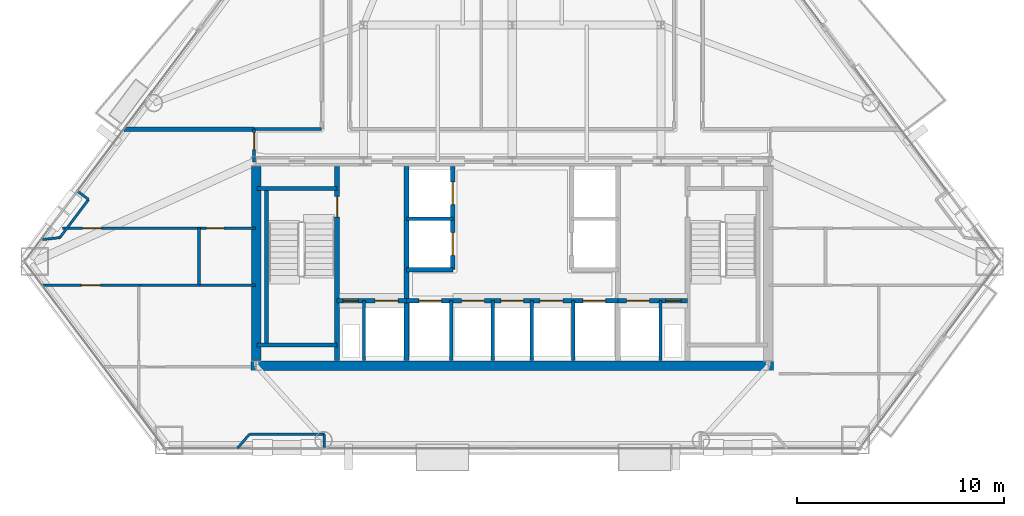
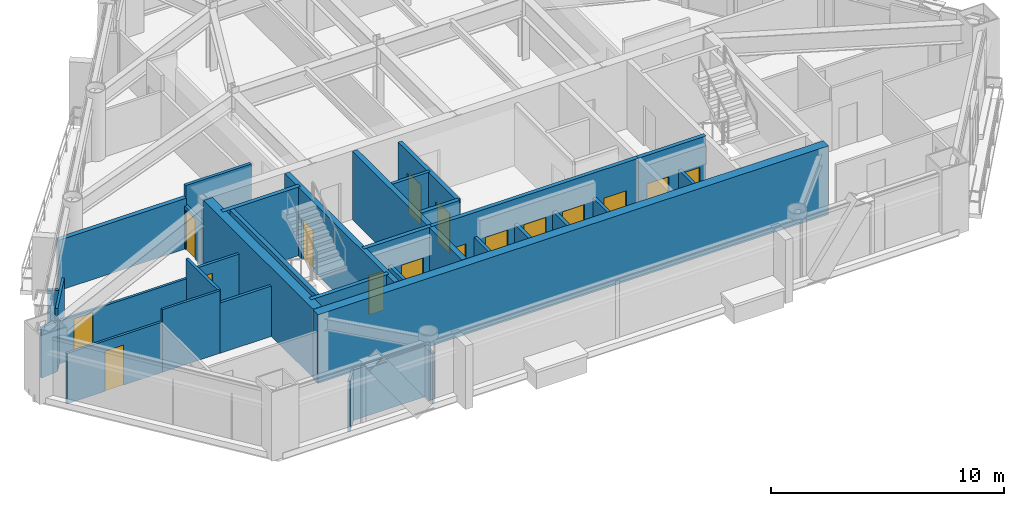
# One storey, part 6 of 10: 34 walls, 16 doors, 16 openings.
"""IFC4 building model written with IfcOpenShell, lengths in metres."""

from ifc_helpers import new_model, si_unit, direction, frame, frame_2d, origin, place, context, subcontext, project, spatial, rectangle, extrude, material, layer, layer_set, type_object, element, fill, save


model = new_model("IFC4")

# Units and contexts
model_context = context("Model", 3, precision=1e-05, world=origin(), true_north=direction((0.0, 1.0)))
body_context = subcontext(model_context, "Body", "Model", "MODEL_VIEW")
ifc_project = project(units=[si_unit("LENGTHUNIT", "METRE"), si_unit("AREAUNIT", "SQUARE_METRE"), si_unit("VOLUMEUNIT", "CUBIC_METRE"), si_unit("PLANEANGLEUNIT", "RADIAN"), si_unit("MASSUNIT", "GRAM", prefix="KILO")], contexts=[model_context])

# Site, building, storey
site_placement = place(None, origin())
site = spatial("IfcSite", under=ifc_project, at=site_placement, CompositionType="ELEMENT")
building_placement = place(site_placement, origin())
building = spatial("IfcBuilding", under=site, at=building_placement, Name="Talgorran Terracotta Tower", CompositionType="ELEMENT")
storey_placement = place(building_placement, frame((0.0, 0.0, 86.39990234375)))
storey = spatial("IfcBuildingStorey", under=building, at=storey_placement, Name="L22", CompositionType="ELEMENT", Elevation=86.39990234375)

# Walls
ifc_material_1 = material(Name="Concrete C50/60", Category="concrete")
ifc_layer_1 = layer(ifc_material_1, 0.199951171875, Name="WT_CORE_200")
ifc_layer_set_1 = layer_set([ifc_layer_1], Name="Concrete C50/60")
wall_type_1 = type_object("IfcWallType", Name="WT_CORE_200", PredefinedType="SOLIDWALL", material=ifc_layer_set_1)
for number, where, z_axis, x_axis, name in (
    (1, (-12.35009765625, -5.52001953125, 0.0), (0.0, 0.0, 1.0), (1.0, 0.0, 0.0), "WL-L22-CW-ST1-N"),
    (2, (-12.35009765625, -13.10009765625, 0.0), (0.0, 0.0, 1.0), (1.0, 0.0, 0.0), "WL-L22-CW-ST1-S"),
):
    element("IfcWall", number, at=place(storey_placement, frame(where, z_axis=z_axis, x_axis=x_axis)), inside=storey, type_object=wall_type_1, Name=name, PredefinedType="SOLIDWALL", context=body_context, shape_type="SweptSolid", body=[
        extrude(rectangle(XDim=3.8701171875, YDim=0.199951171875, at=frame_2d((1.93505859375, 0.0))), origin(), (0.0, 0.0, 1.0), 3.60009765625),
    ])
wall_1_placement = place(storey_placement, frame((-11.89990234375, -13.10009765625, 0.0), z_axis=(0.0, 0.0, 1.0), x_axis=(0.0, 1.0, 0.0)))
element("IfcWall", 3, at=wall_1_placement, inside=storey, type_object=wall_type_1, Name="WL-L22-CW-ST1-W", PredefinedType="SOLIDWALL", context=body_context, shape_type="SweptSolid", body=[
    extrude(rectangle(XDim=7.580078125, YDim=0.199951171875, at=frame_2d((3.7900390625, 0.0))), origin(), (0.0, 0.0, 1.0), 3.60009765625),
])

# Wall, openings, doors
wall_2_placement = place(storey_placement, frame((-8.47998046875, -10.949951171875, 0.0), z_axis=(0.0, 0.0, 1.0), x_axis=(1.0, 0.0, 0.0)))
wall_2 = element("IfcWall", 4, at=wall_2_placement, inside=storey, type_object=wall_type_1, Name="WL-L22-CW-H-SBW", PredefinedType="SOLIDWALL", context=body_context, shape_type="SweptSolid", body=[
    extrude(rectangle(XDim=3.35986328125, YDim=0.199951171875, at=frame_2d((1.679931640625, 0.0))), origin(), (0.0, 0.0, 1.0), 3.60009765625),
])
opening_1_placement = place(wall_2_placement, frame((0.280029296875, 0.0, 0.0)))
opening_1 = element("IfcOpeningElement", 5, at=opening_1_placement, cuts=wall_2, Name="Opening DR-RSW", PredefinedType="OPENING", context=body_context, shape_type="SweptSolid", body=[
    extrude(rectangle(XDim=0.756, YDim=2.054048828125, at=frame_2d((0.375, 1.027099609375))), frame((0.0, 0.10986328125, 0.0), z_axis=(0.0, -1.0, 0.0), x_axis=(1.0, 0.0, 0.0)), (0.0, 0.0, 1.0), 0.219970703125),
])
opening_2_placement = place(wall_2_placement, frame((1.85009765625, 0.0, 0.0)))
opening_2 = element("IfcOpeningElement", 6, at=opening_2_placement, cuts=wall_2, Name="Opening LD-FFL1", PredefinedType="OPENING", context=body_context, shape_type="SweptSolid", body=[
    extrude(rectangle(XDim=1.10609765625, YDim=2.10409765625, at=frame_2d((0.550048828125, 1.052001953125))), frame((0.0, 0.10986328125, 0.0), z_axis=(0.0, -1.0, 0.0), x_axis=(1.0, 0.0, 0.0)), (0.0, 0.0, 1.0), 0.219970703125),
])
ifc_material_2 = material(Name="Brushed Stainless Steel Grade 304", Category="steel")
door_type_1 = type_object("IfcDoorType", Name="DT_LIFT_LD1100", OperationType="DOUBLE_DOOR_SLIDING", PredefinedType="DOOR", material=ifc_material_2)
door_1_placement = place(opening_2_placement, origin())
door_1 = element("IfcDoor", 7, at=door_1_placement, inside=storey, type_object=door_type_1, Name="L22 Lift Landing Door LD-FFL1", OperationType="DOUBLE_DOOR_SLIDING", OverallHeight=2.10009765625, OverallWidth=1.10009765625, PredefinedType="DOOR", context=body_context, shape_type="SweptSolid", body=[
    extrude(rectangle(XDim=1.10009765625, YDim=2.10009765625, at=frame_2d((0.550048828125, 1.050048828125))), frame((0.0, 0.02490234375, 0.0), z_axis=(0.0, -1.0, 0.0), x_axis=(1.0, 0.0, 0.0)), (0.0, 0.0, 1.0), 0.050048828125),
])
fill(opening_2, door_1)
ifc_material_3 = material(Name="Fire-Rated Pressed Steel", Category="steel")
door_type_2 = type_object("IfcDoorType", Name="DT_RISER_750", OperationType="NOTDEFINED", PredefinedType="DOOR", material=ifc_material_3)
door_2_placement = place(opening_1_placement, origin())
door_2 = element("IfcDoor", 8, at=door_2_placement, inside=storey, type_object=door_type_2, Name="DR-RSW", OperationType="SINGLE_SWING_LEFT", OverallHeight=2.050048828125, OverallWidth=0.75, PredefinedType="DOOR", context=body_context, shape_type="SweptSolid", body=[
    extrude(rectangle(XDim=0.75, YDim=2.050048828125, at=frame_2d((0.375, 1.02490234375))), frame((0.0, 0.02490234375, 0.0), z_axis=(0.0, -1.0, 0.0), x_axis=(1.0, 0.0, 0.0)), (0.0, 0.0, 1.0), 0.050048828125),
])
fill(opening_1, door_2)

wall_3_placement = place(storey_placement, frame((-5.1201171875, -10.949951171875, 0.0), z_axis=(0.0, 0.0, 1.0), x_axis=(1.0, 0.0, 0.0)))
wall_3 = element("IfcWall", 9, at=wall_3_placement, inside=storey, type_object=wall_type_1, Name="WL-L22-CW-H-SBC", PredefinedType="SOLIDWALL", context=body_context, shape_type="SweptSolid", body=[
    extrude(rectangle(XDim=10.240234375, YDim=0.199951171875, at=frame_2d((5.1201171875, 0.0))), origin(), (0.0, 0.0, 1.0), 3.60009765625),
])
opening_3_placement = place(wall_3_placement, frame((0.60009765625, 0.0, 0.0)))
opening_3 = element("IfcOpeningElement", 10, at=opening_3_placement, cuts=wall_3, Name="Opening LD-OB1", PredefinedType="OPENING", context=body_context, shape_type="SweptSolid", body=[
    extrude(rectangle(XDim=1.10609765625, YDim=2.10409765625, at=frame_2d((0.550048828125, 1.052001953125))), frame((0.0, 0.10986328125, 0.0), z_axis=(0.0, -1.0, 0.0), x_axis=(1.0, 0.0, 0.0)), (0.0, 0.0, 1.0), 0.219970703125),
])
opening_4_placement = place(wall_3_placement, frame((2.669921875, 0.0, 0.0)))
opening_4 = element("IfcOpeningElement", 11, at=opening_4_placement, cuts=wall_3, Name="Opening LD-PLH1", PredefinedType="OPENING", context=body_context, shape_type="SweptSolid", body=[
    extrude(rectangle(XDim=1.10609765625, YDim=2.10409765625, at=frame_2d((0.550048828125, 1.052001953125))), frame((0.0, 0.10986328125, 0.0), z_axis=(0.0, -1.0, 0.0), x_axis=(1.0, 0.0, 0.0)), (0.0, 0.0, 1.0), 0.219970703125),
])
opening_5_placement = place(wall_3_placement, frame((4.570068359375, 0.0, 0.0)))
opening_5 = element("IfcOpeningElement", 12, at=opening_5_placement, cuts=wall_3, Name="Opening LD-PLH2", PredefinedType="OPENING", context=body_context, shape_type="SweptSolid", body=[
    extrude(rectangle(XDim=1.10609765625, YDim=2.10409765625, at=frame_2d((0.550048828125, 1.052001953125))), frame((0.0, 0.10986328125, 0.0), z_axis=(0.0, -1.0, 0.0), x_axis=(1.0, 0.0, 0.0)), (0.0, 0.0, 1.0), 0.219970703125),
])
opening_6_placement = place(wall_3_placement, frame((6.469970703125, 0.0, 0.0)))
opening_6 = element("IfcOpeningElement", 13, at=opening_6_placement, cuts=wall_3, Name="Opening LD-PLH3", PredefinedType="OPENING", context=body_context, shape_type="SweptSolid", body=[
    extrude(rectangle(XDim=1.10609765625, YDim=2.10409765625, at=frame_2d((0.550048828125, 1.052001953125))), frame((0.0, 0.10986328125, 0.0), z_axis=(0.0, -1.0, 0.0), x_axis=(1.0, 0.0, 0.0)), (0.0, 0.0, 1.0), 0.219970703125),
])
opening_7_placement = place(wall_3_placement, frame((8.5400390625, 0.0, 0.0)))
opening_7 = element("IfcOpeningElement", 14, at=opening_7_placement, cuts=wall_3, Name="Opening LD-SVL1", PredefinedType="OPENING", context=body_context, shape_type="SweptSolid", body=[
    extrude(rectangle(XDim=1.10609765625, YDim=2.10409765625, at=frame_2d((0.550048828125, 1.052001953125))), frame((0.0, 0.10986328125, 0.0), z_axis=(0.0, -1.0, 0.0), x_axis=(1.0, 0.0, 0.0)), (0.0, 0.0, 1.0), 0.219970703125),
])
door_3_placement = place(opening_3_placement, origin())
door_3 = element("IfcDoor", 15, at=door_3_placement, inside=storey, type_object=door_type_1, Name="L22 Lift Landing Door LD-OB1", OperationType="DOUBLE_DOOR_SLIDING", OverallHeight=2.10009765625, OverallWidth=1.10009765625, PredefinedType="DOOR", context=body_context, shape_type="SweptSolid", body=[
    extrude(rectangle(XDim=1.10009765625, YDim=2.10009765625, at=frame_2d((0.550048828125, 1.050048828125))), frame((0.0, 0.02490234375, 0.0), z_axis=(0.0, -1.0, 0.0), x_axis=(1.0, 0.0, 0.0)), (0.0, 0.0, 1.0), 0.050048828125),
])
fill(opening_3, door_3)
door_4_placement = place(opening_4_placement, origin())
door_4 = element("IfcDoor", 16, at=door_4_placement, inside=storey, type_object=door_type_1, Name="L22 Lift Landing Door LD-PLH1", OperationType="DOUBLE_DOOR_SLIDING", OverallHeight=2.10009765625, OverallWidth=1.10009765625, PredefinedType="DOOR", context=body_context, shape_type="SweptSolid", body=[
    extrude(rectangle(XDim=1.10009765625, YDim=2.10009765625, at=frame_2d((0.550048828125, 1.050048828125))), frame((0.0, 0.02490234375, 0.0), z_axis=(0.0, -1.0, 0.0), x_axis=(1.0, 0.0, 0.0)), (0.0, 0.0, 1.0), 0.050048828125),
])
fill(opening_4, door_4)
door_5_placement = place(opening_5_placement, origin())
door_5 = element("IfcDoor", 17, at=door_5_placement, inside=storey, type_object=door_type_1, Name="L22 Lift Landing Door LD-PLH2", OperationType="DOUBLE_DOOR_SLIDING", OverallHeight=2.10009765625, OverallWidth=1.10009765625, PredefinedType="DOOR", context=body_context, shape_type="SweptSolid", body=[
    extrude(rectangle(XDim=1.10009765625, YDim=2.10009765625, at=frame_2d((0.550048828125, 1.050048828125))), frame((0.0, 0.02490234375, 0.0), z_axis=(0.0, -1.0, 0.0), x_axis=(1.0, 0.0, 0.0)), (0.0, 0.0, 1.0), 0.050048828125),
])
fill(opening_5, door_5)
door_6_placement = place(opening_6_placement, origin())
door_6 = element("IfcDoor", 18, at=door_6_placement, inside=storey, type_object=door_type_1, Name="L22 Lift Landing Door LD-PLH3", OperationType="DOUBLE_DOOR_SLIDING", OverallHeight=2.10009765625, OverallWidth=1.10009765625, PredefinedType="DOOR", context=body_context, shape_type="SweptSolid", body=[
    extrude(rectangle(XDim=1.10009765625, YDim=2.10009765625, at=frame_2d((0.550048828125, 1.050048828125))), frame((0.0, 0.02490234375, 0.0), z_axis=(0.0, -1.0, 0.0), x_axis=(1.0, 0.0, 0.0)), (0.0, 0.0, 1.0), 0.050048828125),
])
fill(opening_6, door_6)
door_7_placement = place(opening_7_placement, origin())
door_7 = element("IfcDoor", 19, at=door_7_placement, inside=storey, type_object=door_type_1, Name="L22 Lift Landing Door LD-SVL1", OperationType="DOUBLE_DOOR_SLIDING", OverallHeight=2.10009765625, OverallWidth=1.10009765625, PredefinedType="DOOR", context=body_context, shape_type="SweptSolid", body=[
    extrude(rectangle(XDim=1.10009765625, YDim=2.10009765625, at=frame_2d((0.550048828125, 1.050048828125))), frame((0.0, 0.02490234375, 0.0), z_axis=(0.0, -1.0, 0.0), x_axis=(1.0, 0.0, 0.0)), (0.0, 0.0, 1.0), 0.050048828125),
])
fill(opening_7, door_7)

wall_4_placement = place(storey_placement, frame((5.1201171875, -10.949951171875, 0.0), z_axis=(0.0, 0.0, 1.0), x_axis=(1.0, 0.0, 0.0)))
wall_4 = element("IfcWall", 20, at=wall_4_placement, inside=storey, type_object=wall_type_1, Name="WL-L22-CW-H-SBE", PredefinedType="SOLIDWALL", context=body_context, shape_type="SweptSolid", body=[
    extrude(rectangle(XDim=3.35986328125, YDim=0.199951171875, at=frame_2d((1.679931640625, 0.0))), origin(), (0.0, 0.0, 1.0), 3.60009765625),
])
opening_8_placement = place(wall_4_placement, frame((0.419921875, 0.0, 0.0)))
opening_8 = element("IfcOpeningElement", 21, at=opening_8_placement, cuts=wall_4, Name="Opening LD-FFL2", PredefinedType="OPENING", context=body_context, shape_type="SweptSolid", body=[
    extrude(rectangle(XDim=1.10609765625, YDim=2.10409765625, at=frame_2d((0.550048828125, 1.052001953125))), frame((0.0, 0.10986328125, 0.0), z_axis=(0.0, -1.0, 0.0), x_axis=(1.0, 0.0, 0.0)), (0.0, 0.0, 1.0), 0.219970703125),
])
opening_9_placement = place(wall_4_placement, frame((2.300048828125, 0.0, 0.0)))
opening_9 = element("IfcOpeningElement", 22, at=opening_9_placement, cuts=wall_4, Name="Opening DR-RSE", PredefinedType="OPENING", context=body_context, shape_type="SweptSolid", body=[
    extrude(rectangle(XDim=0.756, YDim=2.054048828125, at=frame_2d((0.375, 1.027099609375))), frame((0.0, 0.10986328125, 0.0), z_axis=(0.0, -1.0, 0.0), x_axis=(1.0, 0.0, 0.0)), (0.0, 0.0, 1.0), 0.219970703125),
])
door_8_placement = place(opening_8_placement, origin())
door_8 = element("IfcDoor", 23, at=door_8_placement, inside=storey, type_object=door_type_1, Name="L22 Lift Landing Door LD-FFL2", OperationType="DOUBLE_DOOR_SLIDING", OverallHeight=2.10009765625, OverallWidth=1.10009765625, PredefinedType="DOOR", context=body_context, shape_type="SweptSolid", body=[
    extrude(rectangle(XDim=1.10009765625, YDim=2.10009765625, at=frame_2d((0.550048828125, 1.050048828125))), frame((0.0, 0.02490234375, 0.0), z_axis=(0.0, -1.0, 0.0), x_axis=(1.0, 0.0, 0.0)), (0.0, 0.0, 1.0), 0.050048828125),
])
fill(opening_8, door_8)
door_9_placement = place(opening_9_placement, origin())
door_9 = element("IfcDoor", 24, at=door_9_placement, inside=storey, type_object=door_type_2, Name="DR-RSE", OperationType="SINGLE_SWING_RIGHT", OverallHeight=2.050048828125, OverallWidth=0.75, PredefinedType="DOOR", context=body_context, shape_type="SweptSolid", body=[
    extrude(rectangle(XDim=0.75, YDim=2.050048828125, at=frame_2d((0.375, 1.02490234375))), frame((0.0, 0.02490234375, 0.0), z_axis=(0.0, -1.0, 0.0), x_axis=(1.0, 0.0, 0.0)), (0.0, 0.0, 1.0), 0.050048828125),
])
fill(opening_9, door_9)

wall_5_placement = place(storey_placement, frame((-2.8798828125, -9.449951171875, 0.0), z_axis=(0.0, 0.0, 1.0), x_axis=(0.0, 1.0, 0.0)))
wall_5 = element("IfcWall", 25, at=wall_5_placement, inside=storey, type_object=wall_type_1, Name="WL-L22-CW-V-W3", PredefinedType="SOLIDWALL", context=body_context, shape_type="SweptSolid", body=[
    extrude(rectangle(XDim=5.0, YDim=0.199951171875, at=frame_2d((2.5, 0.0))), origin(), (0.0, 0.0, 1.0), 3.280029296875),
])
opening_10_placement = place(wall_5_placement, frame((0.699951171875, 0.0, 0.0)))
opening_10 = element("IfcOpeningElement", 26, at=opening_10_placement, cuts=wall_5, Name="Opening LD-PLL1", PredefinedType="OPENING", context=body_context, shape_type="SweptSolid", body=[
    extrude(rectangle(XDim=1.10609765625, YDim=2.10409765625, at=frame_2d((0.550048828125, 1.052001953125))), frame((0.0, 0.10986328125, 0.0), z_axis=(0.0, -1.0, 0.0), x_axis=(1.0, 0.0, 0.0)), (0.0, 0.0, 1.0), 0.219970703125),
])
opening_11_placement = place(wall_5_placement, frame((3.14990234375, 0.0, 0.0)))
opening_11 = element("IfcOpeningElement", 27, at=opening_11_placement, cuts=wall_5, Name="Opening LD-PLL2", PredefinedType="OPENING", context=body_context, shape_type="SweptSolid", body=[
    extrude(rectangle(XDim=1.10609765625, YDim=2.10409765625, at=frame_2d((0.550048828125, 1.052001953125))), frame((0.0, 0.10986328125, 0.0), z_axis=(0.0, -1.0, 0.0), x_axis=(1.0, 0.0, 0.0)), (0.0, 0.0, 1.0), 0.219970703125),
])
door_10_placement = place(opening_10_placement, origin())
door_10 = element("IfcDoor", 28, at=door_10_placement, inside=storey, type_object=door_type_1, Name="L22 Lift Landing Door LD-PLL1", OperationType="DOUBLE_DOOR_SLIDING", OverallHeight=2.10009765625, OverallWidth=1.10009765625, PredefinedType="DOOR", context=body_context, shape_type="SweptSolid", body=[
    extrude(rectangle(XDim=1.10009765625, YDim=2.10009765625, at=frame_2d((0.550048828125, 1.050048828125))), frame((0.0, 0.02490234375, 0.0), z_axis=(0.0, -1.0, 0.0), x_axis=(1.0, 0.0, 0.0)), (0.0, 0.0, 1.0), 0.050048828125),
])
fill(opening_10, door_10)
door_11_placement = place(opening_11_placement, origin())
door_11 = element("IfcDoor", 29, at=door_11_placement, inside=storey, type_object=door_type_1, Name="L22 Lift Landing Door LD-PLL2", OperationType="DOUBLE_DOOR_SLIDING", OverallHeight=2.10009765625, OverallWidth=1.10009765625, PredefinedType="DOOR", context=body_context, shape_type="SweptSolid", body=[
    extrude(rectangle(XDim=1.10009765625, YDim=2.10009765625, at=frame_2d((0.550048828125, 1.050048828125))), frame((0.0, 0.02490234375, 0.0), z_axis=(0.0, -1.0, 0.0), x_axis=(1.0, 0.0, 0.0)), (0.0, 0.0, 1.0), 0.050048828125),
])
fill(opening_11, door_11)

# Wall
wall_6_placement = place(storey_placement, frame((-5.1201171875, -9.449951171875, 0.0), z_axis=(0.0, 0.0, 1.0), x_axis=(1.0, 0.0, 0.0)))
element("IfcWall", 30, at=wall_6_placement, inside=storey, type_object=wall_type_1, Name="WL-L22-CW-H-W4", PredefinedType="SOLIDWALL", context=body_context, shape_type="SweptSolid", body=[
    extrude(rectangle(XDim=2.240234375, YDim=0.199951171875, at=frame_2d((1.1201171875, 0.0))), origin(), (0.0, 0.0, 1.0), 3.280029296875),
])

# Wall, opening, door
ifc_layer_2 = layer(ifc_material_1, 0.25, Name="WT_CORE_250")
ifc_layer_set_2 = layer_set([ifc_layer_2], Name="Concrete C50/60")
wall_type_2 = type_object("IfcWallType", Name="WT_CORE_250", PredefinedType="SHEAR", material=ifc_layer_set_2)
wall_7_placement = place(storey_placement, frame((-8.47998046875, -13.85009765625, 0.0), z_axis=(0.0, 0.0, 1.0), x_axis=(0.0, 1.0, 0.0)))
wall_7 = element("IfcWall", 31, at=wall_7_placement, inside=storey, type_object=wall_type_2, Name="WL-L22-CW-V-W1", PredefinedType="SHEAR", context=body_context, shape_type="SweptSolid", body=[
    extrude(rectangle(XDim=9.400146484375, YDim=0.25, at=frame_2d((4.7001953125, 0.0))), origin(), (0.0, 0.0, 1.0), 3.60009765625),
])
opening_12_placement = place(wall_7_placement, frame((6.949951171875, 0.0, 0.0)))
opening_12 = element("IfcOpeningElement", 32, at=opening_12_placement, cuts=wall_7, Name="Opening DR-ST01", PredefinedType="OPENING", context=body_context, shape_type="SweptSolid", body=[
    extrude(rectangle(XDim=1.006, YDim=2.10409765625, at=frame_2d((0.5, 1.052001953125))), frame((0.0, 0.135009765625, 0.0), z_axis=(0.0, -1.0, 0.0), x_axis=(1.0, 0.0, 0.0)), (0.0, 0.0, 1.0), 0.27001953125),
])
door_type_3 = type_object("IfcDoorType", Name="DT_FIRE_1000", OperationType="NOTDEFINED", PredefinedType="DOOR", material=ifc_material_3)
door_12_placement = place(opening_12_placement, origin())
door_12 = element("IfcDoor", 33, at=door_12_placement, inside=storey, type_object=door_type_3, Name="DR-ST01", OperationType="SINGLE_SWING_LEFT", OverallHeight=2.10009765625, OverallWidth=1.0, PredefinedType="DOOR", context=body_context, shape_type="SweptSolid", body=[
    extrude(rectangle(XDim=1.0, YDim=2.10009765625, at=frame_2d((0.5, 1.050048828125))), frame((0.0, 0.02490234375, 0.0), z_axis=(0.0, -1.0, 0.0), x_axis=(1.0, 0.0, 0.0)), (0.0, 0.0, 1.0), 0.050048828125),
])
fill(opening_12, door_12)

# Walls
wall_8_placement = place(storey_placement, frame((-5.1201171875, -13.85009765625, 0.0), z_axis=(0.0, 0.0, 1.0), x_axis=(0.0, 1.0, 0.0)))
element("IfcWall", 34, at=wall_8_placement, inside=storey, type_object=wall_type_2, Name="WL-L22-CW-V-W2", PredefinedType="SHEAR", context=body_context, shape_type="SweptSolid", body=[
    extrude(rectangle(XDim=9.400146484375, YDim=0.25, at=frame_2d((4.7001953125, 0.0))), origin(), (0.0, 0.0, 1.0), 3.60009765625),
])
ifc_material_4 = material(Name="Concrete C65/80", Category="concrete")
ifc_layer_3 = layer(ifc_material_4, 0.449951171875, Name="WT_CORE_EXT")
ifc_layer_set_3 = layer_set([ifc_layer_3], Name="Concrete C65/80")
wall_type_3 = type_object("IfcWallType", Name="WT_CORE_EXT", PredefinedType="SHEAR", material=ifc_layer_set_3)
wall_9_placement = place(storey_placement, frame((-12.64990234375, -14.10009765625, 0.0), z_axis=(0.0, 0.0, 1.0), x_axis=(1.0, 0.0, 0.0)))
element("IfcWall", 35, at=wall_9_placement, inside=storey, type_object=wall_type_3, Name="WL-L22-CW-OUT-S", PredefinedType="SHEAR", context=body_context, shape_type="SweptSolid", body=[
    extrude(rectangle(XDim=25.2998046875, YDim=0.449951171875, at=frame_2d((12.64990234375, 0.0))), origin(), (0.0, 0.0, 1.0), 3.60009765625),
])
wall_10_placement = place(storey_placement, frame((-12.39990234375, -13.85009765625, 0.0), z_axis=(0.0, 0.0, 1.0), x_axis=(0.0, 1.0, 0.0)))
element("IfcWall", 36, at=wall_10_placement, inside=storey, type_object=wall_type_3, Name="WL-L22-CW-OUT-W", PredefinedType="SHEAR", context=body_context, shape_type="SweptSolid", body=[
    extrude(rectangle(XDim=9.400146484375, YDim=0.449951171875, at=frame_2d((4.7001953125, 0.0))), origin(), (0.0, 0.0, 1.0), 3.60009765625),
])
ifc_material_5 = material(Name="Fire-Rated Steel Stud Plasterboard", Category="steel")
ifc_layer_4 = layer(ifc_material_5, 0.14990234375, Name="WT_FIRE_150")
ifc_layer_set_4 = layer_set([ifc_layer_4], Name="Fire-Rated Steel Stud Plasterboard")
wall_type_4 = type_object("IfcWallType", Name="WT_FIRE_150", PredefinedType="PARTITIONING", material=ifc_layer_set_4)
wall_11_placement = place(storey_placement, frame((-12.5, -2.639892578125, 0.0), z_axis=(0.0, 0.0, 1.0), x_axis=(1.0, 0.0, 0.0)))
element("IfcWall", 37, at=wall_11_placement, inside=storey, type_object=wall_type_4, Name="WL-L22-W-L22-R03", PredefinedType="PARTITIONING", context=body_context, shape_type="SweptSolid", body=[
    extrude(rectangle(XDim=3.260009765625, YDim=0.14990234375, at=frame_2d((1.6298828125, 0.0))), origin(), (0.0, 0.0, 1.0), 3.280029296875),
])

# Wall, opening, door
wall_12_placement = place(storey_placement, frame((-12.5, -4.239990234375, 0.0), z_axis=(0.0, 0.0, 1.0), x_axis=(0.0, 1.0, 0.0)))
wall_12 = element("IfcWall", 38, at=wall_12_placement, inside=storey, type_object=wall_type_4, Name="WL-L22-W-L22-R01", PredefinedType="PARTITIONING", context=body_context, shape_type="SweptSolid", body=[
    extrude(rectangle(XDim=1.60009765625, YDim=0.14990234375, at=frame_2d((0.800048828125, 0.0))), origin(), (0.0, 0.0, 1.0), 2.255126953125),
])
opening_13_placement = place(wall_12_placement, frame((0.602294921875, 0.0, 0.0)))
opening_13 = element("IfcOpeningElement", 39, at=opening_13_placement, cuts=wall_12, Name="Opening DR-L22-R01", PredefinedType="OPENING", context=body_context, shape_type="SweptSolid", body=[
    extrude(rectangle(XDim=0.826068359375, YDim=2.10409765625, at=frame_2d((0.41015625, 1.052001953125))), frame((0.0, 0.0849609375, 0.0), z_axis=(0.0, -1.0, 0.0), x_axis=(1.0, 0.0, 0.0)), (0.0, 0.0, 1.0), 0.169921875),
])
ifc_material_6 = material(Name="Moisture-Resistant Solid Timber", Category="wood")
door_type_4 = type_object("IfcDoorType", Name="DT_INT_820", OperationType="NOTDEFINED", PredefinedType="DOOR", material=ifc_material_6)
door_13_placement = place(opening_13_placement, origin())
door_13 = element("IfcDoor", 40, at=door_13_placement, inside=storey, type_object=door_type_4, Name="DR-L22-R01", OperationType="SINGLE_SWING_LEFT", OverallHeight=2.10009765625, OverallWidth=0.820068359375, PredefinedType="DOOR", context=body_context, shape_type="SweptSolid", body=[
    extrude(rectangle(XDim=0.820068359375, YDim=2.10009765625, at=frame_2d((0.41015625, 1.050048828125))), frame((0.0, 0.02490234375, 0.0), z_axis=(0.0, -1.0, 0.0), x_axis=(1.0, 0.0, 0.0)), (0.0, 0.0, 1.0), 0.050048828125),
])
fill(opening_13, door_13)

# Wall
ifc_material_7 = material(Name="Acoustic Masonry and Plasterboard", Category="masonry")
ifc_layer_5 = layer(ifc_material_7, 0.219970703125, Name="WT_PARTY_220")
ifc_layer_set_5 = layer_set([ifc_layer_5], Name="Acoustic Masonry and Plasterboard")
wall_type_5 = type_object("IfcWallType", Name="WT_PARTY_220", PredefinedType="PARTITIONING", material=ifc_layer_set_5)
wall_13_placement = place(storey_placement, frame((-18.798095703125, -2.639892578125, 0.0), z_axis=(0.0, 0.0, 1.0), x_axis=(1.0, 0.0, 0.0)))
element("IfcWall", 41, at=wall_13_placement, inside=storey, type_object=wall_type_5, Name="WL-L22-W-L22-R17", PredefinedType="PARTITIONING", context=body_context, shape_type="SweptSolid", body=[
    extrude(rectangle(XDim=6.298095703125, YDim=0.219970703125, at=frame_2d((3.14892578125, 0.0))), origin(), (0.0, 0.0, 1.0), 2.6435546875),
])

# Wall, opening, door
ifc_material_8 = material(Name="Insulated Steel Stud Plasterboard", Category="steel")
ifc_layer_6 = layer(ifc_material_8, 0.1201171875, Name="WT_PART_120")
ifc_layer_set_6 = layer_set([ifc_layer_6], Name="Insulated Steel Stud Plasterboard")
wall_type_6 = type_object("IfcWallType", Name="WT_PART_120", PredefinedType="PARTITIONING", material=ifc_layer_set_6)
wall_14_placement = place(storey_placement, frame((-21.780029296875, -7.43994140625, 0.0), z_axis=(0.0, 0.0, 1.0), x_axis=(1.0, 0.0, 0.0)))
wall_14 = element("IfcWall", 42, at=wall_14_placement, inside=storey, type_object=wall_type_6, Name="WL-L22-W-L22-R16", PredefinedType="PARTITIONING", context=body_context, shape_type="SweptSolid", body=[
    extrude(rectangle(XDim=6.699951171875, YDim=0.1201171875, at=frame_2d((3.35009765625, 0.0))), origin(), (0.0, 0.0, 1.0), 2.255126953125),
])
opening_14_placement = place(wall_14_placement, frame((0.97998046875, 0.0, 0.0)))
opening_14 = element("IfcOpeningElement", 43, at=opening_14_placement, cuts=wall_14, Name="Opening DR-L22-R03", PredefinedType="OPENING", context=body_context, shape_type="SweptSolid", body=[
    extrude(rectangle(XDim=0.925921875, YDim=2.10409765625, at=frame_2d((0.4599609375, 1.052001953125))), frame((0.0, 0.070068359375, 0.0), z_axis=(0.0, -1.0, 0.0), x_axis=(1.0, 0.0, 0.0)), (0.0, 0.0, 1.0), 0.14013671875),
])
ifc_material_9 = material(Name="Solid-Core Painted Timber", Category="wood")
door_type_5 = type_object("IfcDoorType", Name="DT_INT_920", OperationType="NOTDEFINED", PredefinedType="DOOR", material=ifc_material_9)
door_14_placement = place(opening_14_placement, origin())
door_14 = element("IfcDoor", 44, at=door_14_placement, inside=storey, type_object=door_type_5, Name="DR-L22-R03", OperationType="SINGLE_SWING_LEFT", OverallHeight=2.10009765625, OverallWidth=0.919921875, PredefinedType="DOOR", context=body_context, shape_type="SweptSolid", body=[
    extrude(rectangle(XDim=0.919921875, YDim=2.10009765625, at=frame_2d((0.4599609375, 1.050048828125))), frame((0.0, 0.02490234375, 0.0), z_axis=(0.0, -1.0, 0.0), x_axis=(1.0, 0.0, 0.0)), (0.0, 0.0, 1.0), 0.050048828125),
])
fill(opening_14, door_14)

wall_15_placement = place(storey_placement, frame((-22.75634765625, -10.199951171875, 0.0), z_axis=(0.0, 0.0, 1.0), x_axis=(1.0, 0.0, 0.0)))
wall_15 = element("IfcWall", 45, at=wall_15_placement, inside=storey, type_object=wall_type_6, Name="WL-L22-W-L22-R20", PredefinedType="PARTITIONING", context=body_context, shape_type="SweptSolid", body=[
    extrude(rectangle(XDim=4.736328125, YDim=0.1201171875, at=frame_2d((2.3681640625, 0.0))), origin(), (0.0, 0.0, 1.0), 2.6435546875),
])
opening_15_placement = place(wall_15_placement, frame((1.898193359375, 0.0, 0.0)))
opening_15 = element("IfcOpeningElement", 46, at=opening_15_placement, cuts=wall_15, Name="Opening DR-L22-R04", PredefinedType="OPENING", context=body_context, shape_type="SweptSolid", body=[
    extrude(rectangle(XDim=0.925921875, YDim=2.10409765625, at=frame_2d((0.4599609375, 1.052001953125))), frame((0.0, 0.070068359375, 0.0), z_axis=(0.0, -1.0, 0.0), x_axis=(1.0, 0.0, 0.0)), (0.0, 0.0, 1.0), 0.14013671875),
])
door_15_placement = place(opening_15_placement, origin())
door_15 = element("IfcDoor", 47, at=door_15_placement, inside=storey, type_object=door_type_5, Name="DR-L22-R04", OperationType="SINGLE_SWING_RIGHT", OverallHeight=2.10009765625, OverallWidth=0.919921875, PredefinedType="DOOR", context=body_context, shape_type="SweptSolid", body=[
    extrude(rectangle(XDim=0.919921875, YDim=2.10009765625, at=frame_2d((0.4599609375, 1.050048828125))), frame((0.0, 0.02490234375, 0.0), z_axis=(0.0, -1.0, 0.0), x_axis=(1.0, 0.0, 0.0)), (0.0, 0.0, 1.0), 0.050048828125),
])
fill(opening_15, door_15)

# Walls
wall_16_placement = place(storey_placement, frame((-12.731201171875, -17.422119140625, 0.0), z_axis=(0.0, 0.0, 1.0), x_axis=(1.0, 0.0, 0.0)))
element("IfcWall", 48, at=wall_16_placement, inside=storey, type_object=wall_type_6, Name="WL-L22-BW-L22-01", PredefinedType="PARTITIONING", context=body_context, shape_type="SweptSolid", body=[
    extrude(rectangle(XDim=3.631103515625, YDim=0.1201171875, at=frame_2d((1.8154296875, 0.0))), origin(), (0.0, 0.0, 1.0), 2.6435546875),
])
wall_17_placement = place(storey_placement, frame((-18.01806640625, -10.199951171875, 0.0), z_axis=(0.0, 0.0, 1.0), x_axis=(1.0, 0.0, 0.0)))
element("IfcWall", 49, at=wall_17_placement, inside=storey, type_object=wall_type_6, Name="WL-L22-W-L22-R21", PredefinedType="PARTITIONING", context=body_context, shape_type="SweptSolid", body=[
    extrude(rectangle(XDim=2.858154296875, YDim=0.1201171875, at=frame_2d((1.42919921875, 0.0))), origin(), (0.0, 0.0, 1.0), 3.280029296875),
])
wall_18_placement = place(storey_placement, frame((-20.512451171875, -6.05126953125, 0.0), z_axis=(0.0, 0.0, 1.0), x_axis=(-0.601114822283, -0.799162668317, 0.0)))
element("IfcWall", 50, at=wall_18_placement, inside=storey, type_object=wall_type_6, Name="WL-L22-BW-L22-08", PredefinedType="PARTITIONING", context=body_context, shape_type="SweptSolid", body=[
    extrude(rectangle(XDim=2.311279296875, YDim=0.1201171875, at=frame_2d((1.15576171875, 0.0))), origin(), (0.0, 0.0, 1.0), 3.280029296875),
])
wall_19_placement = place(storey_placement, frame((-13.29638671875, -18.09228515625, 0.0), z_axis=(0.0, 0.0, 1.0), x_axis=(0.644692996289, 0.764441587393, 0.0)))
element("IfcWall", 51, at=wall_19_placement, inside=storey, type_object=wall_type_6, Name="WL-L22-BW-L22-03", PredefinedType="PARTITIONING", context=body_context, shape_type="SweptSolid", body=[
    extrude(rectangle(XDim=0.876708984375, YDim=0.1201171875, at=frame_2d((0.4384765625, 0.0))), origin(), (0.0, 0.0, 1.0), 2.6435546875),
])
wall_20_placement = place(storey_placement, frame((-21.90185546875, -7.8984375, 0.0), z_axis=(0.0, 0.0, 1.0), x_axis=(-0.99437860496, -0.10588290701, 0.0)))
element("IfcWall", 52, at=wall_20_placement, inside=storey, type_object=wall_type_6, Name="WL-L22-BW-L22-09", PredefinedType="PARTITIONING", context=body_context, shape_type="SweptSolid", body=[
    extrude(rectangle(XDim=0.8486328125, YDim=0.1201171875, at=frame_2d((0.42431640625, 0.0))), origin(), (0.0, 0.0, 1.0), 2.6435546875),
])
for number, where, z_axis, x_axis, name in (
    (53, (-21.048095703125, -5.6484375, 0.0), (0.0, 0.0, 1.0), (0.799212484873, -0.601048587074, 0.0), "WL-L22-BW-L22-07"),
    (54, (-9.10009765625, -17.422119140625, 0.0), (0.0, 0.0, 1.0), (0.0, -1.0, 0.0), "WL-L22-BW-L22-02"),
):
    element("IfcWall", number, at=place(storey_placement, frame(where, z_axis=z_axis, x_axis=x_axis)), inside=storey, type_object=wall_type_6, Name=name, PredefinedType="PARTITIONING", context=body_context, shape_type="SweptSolid", body=[
        extrude(rectangle(XDim=0.670166015625, YDim=0.1201171875, at=frame_2d((0.3349609375, 0.0))), origin(), (0.0, 0.0, 1.0), 2.6435546875),
    ])

# Wall, opening, door
ifc_material_10 = material(Name="Moisture-Resistant Stud Wall")
ifc_layer_7 = layer(ifc_material_10, 0.135009765625, Name="WT_PART_135")
ifc_layer_set_7 = layer_set([ifc_layer_7], Name="Moisture-Resistant Stud Wall")
wall_type_7 = type_object("IfcWallType", Name="WT_PART_135", PredefinedType="PARTITIONING", material=ifc_layer_set_7)
wall_21_placement = place(storey_placement, frame((-15.077880859375, -7.43994140625, 0.0), z_axis=(0.0, 0.0, 1.0), x_axis=(1.0, 0.0, 0.0)))
wall_21 = element("IfcWall", 55, at=wall_21_placement, inside=storey, type_object=wall_type_7, Name="WL-L22-W-L22-R15", PredefinedType="PARTITIONING", context=body_context, shape_type="SweptSolid", body=[
    extrude(rectangle(XDim=2.637939453125, YDim=0.135009765625, at=frame_2d((1.31884765625, 0.0))), origin(), (0.0, 0.0, 1.0), 2.6435546875),
])
opening_16_placement = place(wall_21_placement, frame((0.272216796875, 0.0, 0.0)))
opening_16 = element("IfcOpeningElement", 56, at=opening_16_placement, cuts=wall_21, Name="Opening DR-L22-R02", PredefinedType="OPENING", context=body_context, shape_type="SweptSolid", body=[
    extrude(rectangle(XDim=0.85609765625, YDim=2.10409765625, at=frame_2d((0.425048828125, 1.052001953125))), frame((0.0, 0.07763671875, 0.0), z_axis=(0.0, -1.0, 0.0), x_axis=(1.0, 0.0, 0.0)), (0.0, 0.0, 1.0), 0.155029296875),
])
door_type_6 = type_object("IfcDoorType", Name="DT_INT_850", OperationType="NOTDEFINED", PredefinedType="DOOR", material=ifc_material_6)
door_16_placement = place(opening_16_placement, origin())
door_16 = element("IfcDoor", 57, at=door_16_placement, inside=storey, type_object=door_type_6, Name="DR-L22-R02", OperationType="SINGLE_SWING_RIGHT", OverallHeight=2.10009765625, OverallWidth=0.85009765625, PredefinedType="DOOR", context=body_context, shape_type="SweptSolid", body=[
    extrude(rectangle(XDim=0.85009765625, YDim=2.10009765625, at=frame_2d((0.425048828125, 1.050048828125))), frame((0.0, 0.02490234375, 0.0), z_axis=(0.0, -1.0, 0.0), x_axis=(1.0, 0.0, 0.0)), (0.0, 0.0, 1.0), 0.050048828125),
])
fill(opening_16, door_16)

# Walls
wall_22_placement = place(storey_placement, frame((-15.159912109375, -10.199951171875, 0.0), z_axis=(0.0, 0.0, 1.0), x_axis=(0.0, 1.0, 0.0)))
element("IfcWall", 58, at=wall_22_placement, inside=storey, type_object=wall_type_7, Name="WL-L22-W-L22-R18", PredefinedType="PARTITIONING", context=body_context, shape_type="SweptSolid", body=[
    extrude(rectangle(XDim=2.760009765625, YDim=0.135009765625, at=frame_2d((1.3798828125, 0.0))), origin(), (0.0, 0.0, 1.0), 3.280029296875),
])
wall_23_placement = place(storey_placement, frame((-15.159912109375, -10.199951171875, 0.0), z_axis=(0.0, 0.0, 1.0), x_axis=(1.0, 0.0, 0.0)))
element("IfcWall", 59, at=wall_23_placement, inside=storey, type_object=wall_type_7, Name="WL-L22-W-L22-R19", PredefinedType="PARTITIONING", context=body_context, shape_type="SweptSolid", body=[
    extrude(rectangle(XDim=2.719970703125, YDim=0.135009765625, at=frame_2d((1.35986328125, 0.0))), origin(), (0.0, 0.0, 1.0), 2.6435546875),
])
ifc_material_11 = material(Name="Fire-Rated Shaftwall")
ifc_layer_8 = layer(ifc_material_11, 0.159912109375, Name="WT_PART_150")
ifc_layer_set_8 = layer_set([ifc_layer_8], Name="Fire-Rated Shaftwall")
wall_type_8 = type_object("IfcWallType", Name="WT_PART_150", PredefinedType="PARTITIONING", material=ifc_layer_set_8)
wall_24_placement = place(storey_placement, frame((-5.1201171875, -6.97998046875, 0.0), z_axis=(0.0, 0.0, 1.0), x_axis=(1.0, 0.0, 0.0)))
element("IfcWall", 60, at=wall_24_placement, inside=storey, type_object=wall_type_8, Name="WL-L22-CW-PLL-DIV", PredefinedType="PARTITIONING", context=body_context, shape_type="SweptSolid", body=[
    extrude(rectangle(XDim=2.240234375, YDim=0.159912109375, at=frame_2d((1.1201171875, 0.0))), origin(), (0.0, 0.0, 1.0), 3.280029296875),
])
for number, where, z_axis, x_axis, name in (
    (61, (-7.179931640625, -13.85009765625, 0.0), (0.0, 0.0, 1.0), (0.0, 1.0, 0.0), "WL-L22-CW-RSW"),
    (62, (7.179931640625, -13.85009765625, 0.0), (0.0, 0.0, 1.0), (0.0, 1.0, 0.0), "WL-L22-CW-RSE"),
    (63, (-2.949951171875, -13.85009765625, 0.0), (0.0, 0.0, 1.0), (0.0, 1.0, 0.0), "WL-L22-CW-OB-E"),
    (64, (2.949951171875, -13.85009765625, 0.0), (0.0, 0.0, 1.0), (0.0, 1.0, 0.0), "WL-L22-CW-SV-W"),
    (65, (-0.949951171875, -13.85009765625, 0.0), (0.0, 0.0, 1.0), (0.0, 1.0, 0.0), "WL-L22-CW-PLH-D1"),
    (66, (0.949951171875, -13.85009765625, 0.0), (0.0, 0.0, 1.0), (0.0, 1.0, 0.0), "WL-L22-CW-PLH-D2"),
):
    element("IfcWall", number, at=place(storey_placement, frame(where, z_axis=z_axis, x_axis=x_axis)), inside=storey, type_object=wall_type_8, Name=name, PredefinedType="PARTITIONING", context=body_context, shape_type="SweptSolid", body=[
        extrude(rectangle(XDim=2.900146484375, YDim=0.159912109375, at=frame_2d((1.4501953125, 0.0))), origin(), (0.0, 0.0, 1.0), 2.30517578125),
    ])

save(model, "model.ifc")
